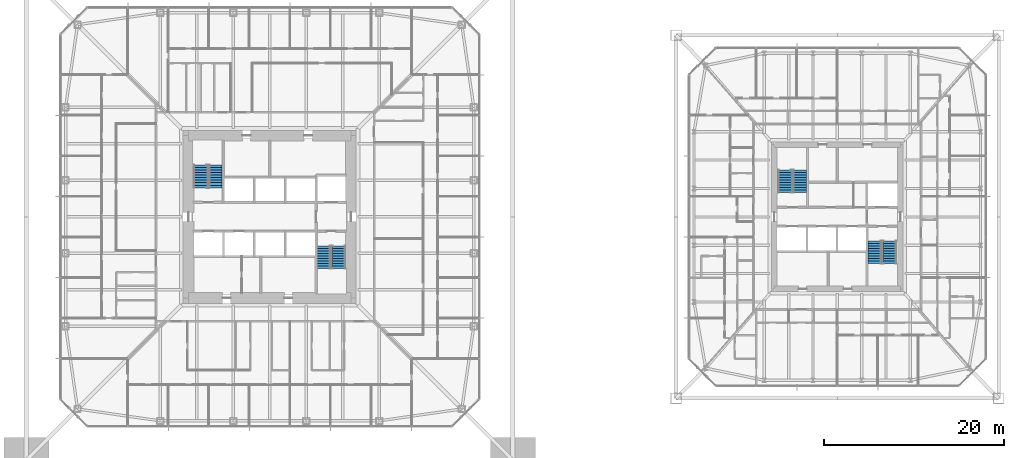
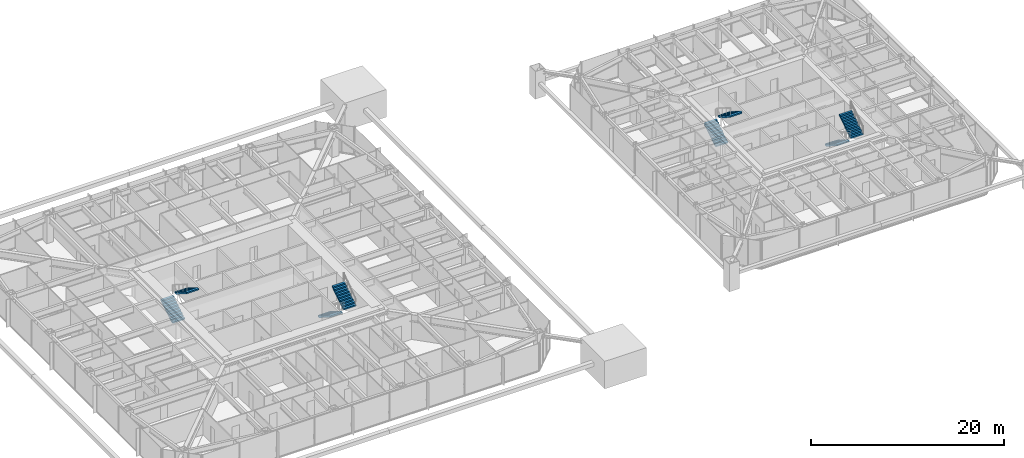
# One storey, part 23 of 27: 8 stair flights, 4 elements without a shape of their own.
"""IFC4 building model written with IfcOpenShell, lengths in metres."""

from ifc_helpers import new_model, si_unit, direction, frame, origin, place, context, subcontext, project, spatial, polyline, outline, extrude, material, constituent, constituent_set, type_object, element, aggregate, save


model = new_model("IFC4")

# Units and contexts
model_context = context("Model", 3, precision=1e-05, world=origin(), true_north=direction((0.0, 1.0)))
body_context = subcontext(model_context, "Body", "Model", "MODEL_VIEW")
ifc_project = project(units=[si_unit("LENGTHUNIT", "METRE"), si_unit("AREAUNIT", "SQUARE_METRE"), si_unit("VOLUMEUNIT", "CUBIC_METRE"), si_unit("PLANEANGLEUNIT", "RADIAN"), si_unit("MASSUNIT", "GRAM", prefix="KILO")], contexts=[model_context])

# Site, building, storey
site_placement = place(None, origin())
site = spatial("IfcSite", under=ifc_project, at=site_placement, CompositionType="ELEMENT")
building_placement = place(site_placement, origin())
building = spatial("IfcBuilding", under=site, at=building_placement, Name="Iwan Alto Co-Living Towers", CompositionType="ELEMENT")
storey_placement = place(building_placement, frame((0.0, 0.0, 53.5)))
storey = spatial("IfcBuildingStorey", under=building, at=storey_placement, Name="L14", CompositionType="ELEMENT", Elevation=53.5)

# Stair, stair flights
ifc_material_1 = material(Name="Steel ASTM A36", Category="steel")
ifc_constituent_1 = constituent(ifc_material_1, Name="Stringers", Category="LoadBearing")
ifc_material_2 = material(Name="Concrete f'c 30 MPa", Category="concrete")
ifc_constituent_2 = constituent(ifc_material_2, Name="Tread fill", Category="Finish")
ifc_constituent_set_1 = constituent_set(constituents=[ifc_constituent_1, ifc_constituent_2], Name="STAIR 3500 TWO-FLIGHT T1 CORE")
stair_type_1 = type_object("IfcStairType", Name="STAIR 3500 TWO-FLIGHT T1 CORE", PredefinedType="HALF_TURN_STAIR", material=ifc_constituent_set_1)
stair_1_placement = place(storey_placement, origin())
stair_1 = element("IfcStair", 1, at=stair_1_placement, inside=storey, type_object=stair_type_1, Name="Stair T1-S1 L14 to L15", PredefinedType="HALF_TURN_STAIR")
ifc_constituent_3 = constituent(ifc_material_1, Name="Stringers", Category="LoadBearing")
ifc_constituent_4 = constituent(ifc_material_2, Name="Tread fill", Category="Finish")
ifc_constituent_set_2 = constituent_set(constituents=[ifc_constituent_3, ifc_constituent_4], Name="STAIR FLIGHT 10 RISERS 280 GOING")
stair_flight_type = type_object("IfcStairFlightType", Name="STAIR FLIGHT 10 RISERS 280 GOING", PredefinedType="STRAIGHT", material=ifc_constituent_set_2)
stair_flight_1_placement = place(storey_placement, frame((-7.68994140625, 3.219970703125, 0.0), z_axis=(0.0, 0.0, 1.0), x_axis=(0.0, 1.0, 0.0)))
stair_flight_1 = element("IfcStairFlight", 2, at=stair_flight_1_placement, type_object=stair_flight_type, Name="T1-S1 flight 1", NumberOfRisers=10, NumberOfTreads=9, PredefinedType="STRAIGHT", RiserHeight=0.175, TreadLength=0.28, context=body_context, shape_type="SweptSolid", body=[
    extrude(outline(polyline([(0.0, 0.0), (0.0, 0.175048828125), (0.280029296875, 0.175048828125), (0.280029296875, 0.35009765625), (0.56005859375, 0.35009765625), (0.56005859375, 0.52490234375), (0.840087890625, 0.52490234375), (0.840087890625, 0.699951171875), (1.1201171875, 0.699951171875), (1.1201171875, 0.875), (1.39990234375, 0.875), (1.39990234375, 1.050048828125), (1.679931640625, 1.050048828125), (1.679931640625, 1.22509765625), (1.9599609375, 1.22509765625), (1.9599609375, 1.39990234375), (2.239990234375, 1.39990234375), (2.239990234375, 1.574951171875), (2.52001953125, 1.574951171875), (2.52001953125, 1.75), (2.52001953125, 1.398193359375), (0.28271484375, 0.0), (0.0, 0.0)])), frame((0.0, 0.739990234375, 0.0), z_axis=(0.0, -1.0, 0.0), x_axis=(1.0, 0.0, 0.0)), (0.0, 0.0, 1.0), 1.47998046875),
])
stair_flight_2_placement = place(storey_placement, frame((-6.010009765625, 5.739990234375, 1.75), z_axis=(0.0, 0.0, 1.0), x_axis=(0.0, -1.0, 0.0)))
stair_flight_2 = element("IfcStairFlight", 3, at=stair_flight_2_placement, type_object=stair_flight_type, Name="T1-S1 flight 2", NumberOfRisers=10, NumberOfTreads=9, PredefinedType="STRAIGHT", RiserHeight=0.175, TreadLength=0.28, context=body_context, shape_type="SweptSolid", body=[
    extrude(outline(polyline([(0.0, 0.0), (0.0, 0.175048828125), (0.280029296875, 0.175048828125), (0.280029296875, 0.35009765625), (0.56005859375, 0.35009765625), (0.56005859375, 0.52490234375), (0.840087890625, 0.52490234375), (0.840087890625, 0.699951171875), (1.1201171875, 0.699951171875), (1.1201171875, 0.875), (1.39990234375, 0.875), (1.39990234375, 1.050048828125), (1.679931640625, 1.050048828125), (1.679931640625, 1.22509765625), (1.9599609375, 1.22509765625), (1.9599609375, 1.39990234375), (2.239990234375, 1.39990234375), (2.239990234375, 1.574951171875), (2.52001953125, 1.574951171875), (2.52001953125, 1.75), (2.52001953125, 1.398193359375), (0.28271484375, 0.0), (0.0, 0.0)])), frame((0.0, 0.739990234375, 0.0), z_axis=(0.0, -1.0, 0.0), x_axis=(1.0, 0.0, 0.0)), (0.0, 0.0, 1.0), 1.47998046875),
])
aggregate(stair_1, [stair_flight_1, stair_flight_2])

stair_2_placement = place(storey_placement, origin())
stair_2 = element("IfcStair", 4, at=stair_2_placement, inside=storey, type_object=stair_type_1, Name="Stair T1-S2 L14 to L15", PredefinedType="HALF_TURN_STAIR")
stair_flight_3_placement = place(storey_placement, frame((6.010009765625, -3.219970703125, 0.0), z_axis=(0.0, 0.0, 1.0), x_axis=(0.0, -1.0, 0.0)))
stair_flight_3 = element("IfcStairFlight", 5, at=stair_flight_3_placement, type_object=stair_flight_type, Name="T1-S2 flight 1", NumberOfRisers=10, NumberOfTreads=9, PredefinedType="STRAIGHT", RiserHeight=0.175, TreadLength=0.28, context=body_context, shape_type="SweptSolid", body=[
    extrude(outline(polyline([(0.0, 0.0), (0.0, 0.175048828125), (0.280029296875, 0.175048828125), (0.280029296875, 0.35009765625), (0.56005859375, 0.35009765625), (0.56005859375, 0.52490234375), (0.840087890625, 0.52490234375), (0.840087890625, 0.699951171875), (1.1201171875, 0.699951171875), (1.1201171875, 0.875), (1.39990234375, 0.875), (1.39990234375, 1.050048828125), (1.679931640625, 1.050048828125), (1.679931640625, 1.22509765625), (1.9599609375, 1.22509765625), (1.9599609375, 1.39990234375), (2.239990234375, 1.39990234375), (2.239990234375, 1.574951171875), (2.52001953125, 1.574951171875), (2.52001953125, 1.75), (2.52001953125, 1.398193359375), (0.28271484375, 0.0), (0.0, 0.0)])), frame((0.0, 0.739990234375, 0.0), z_axis=(0.0, -1.0, 0.0), x_axis=(1.0, 0.0, 0.0)), (0.0, 0.0, 1.0), 1.47998046875),
])
stair_flight_4_placement = place(storey_placement, frame((7.68994140625, -5.739990234375, 1.75), z_axis=(0.0, 0.0, 1.0), x_axis=(0.0, 1.0, 0.0)))
stair_flight_4 = element("IfcStairFlight", 6, at=stair_flight_4_placement, type_object=stair_flight_type, Name="T1-S2 flight 2", NumberOfRisers=10, NumberOfTreads=9, PredefinedType="STRAIGHT", RiserHeight=0.175, TreadLength=0.28, context=body_context, shape_type="SweptSolid", body=[
    extrude(outline(polyline([(0.0, 0.0), (0.0, 0.175048828125), (0.280029296875, 0.175048828125), (0.280029296875, 0.35009765625), (0.56005859375, 0.35009765625), (0.56005859375, 0.52490234375), (0.840087890625, 0.52490234375), (0.840087890625, 0.699951171875), (1.1201171875, 0.699951171875), (1.1201171875, 0.875), (1.39990234375, 0.875), (1.39990234375, 1.050048828125), (1.679931640625, 1.050048828125), (1.679931640625, 1.22509765625), (1.9599609375, 1.22509765625), (1.9599609375, 1.39990234375), (2.239990234375, 1.39990234375), (2.239990234375, 1.574951171875), (2.52001953125, 1.574951171875), (2.52001953125, 1.75), (2.52001953125, 1.398193359375), (0.28271484375, 0.0), (0.0, 0.0)])), frame((0.0, 0.739990234375, 0.0), z_axis=(0.0, -1.0, 0.0), x_axis=(1.0, 0.0, 0.0)), (0.0, 0.0, 1.0), 1.47998046875),
])
aggregate(stair_2, [stair_flight_3, stair_flight_4])

ifc_constituent_5 = constituent(ifc_material_1, Name="Stringers", Category="LoadBearing")
ifc_constituent_6 = constituent(ifc_material_2, Name="Tread fill", Category="Finish")
ifc_constituent_set_3 = constituent_set(constituents=[ifc_constituent_5, ifc_constituent_6], Name="STAIR 3500 TWO-FLIGHT T2 CORE")
stair_type_2 = type_object("IfcStairType", Name="STAIR 3500 TWO-FLIGHT T2 CORE", PredefinedType="HALF_TURN_STAIR", material=ifc_constituent_set_3)
stair_3_placement = place(storey_placement, origin())
stair_3 = element("IfcStair", 7, at=stair_3_placement, inside=storey, type_object=stair_type_2, Name="Stair T2-S1 L14 to L15", PredefinedType="HALF_TURN_STAIR")
stair_flight_5_placement = place(storey_placement, frame((57.159912109375, 2.669921875, 0.0), z_axis=(0.0, 0.0, 1.0), x_axis=(0.0, 1.0, 0.0)))
stair_flight_5 = element("IfcStairFlight", 8, at=stair_flight_5_placement, type_object=stair_flight_type, Name="T2-S1 flight 1", NumberOfRisers=10, NumberOfTreads=9, PredefinedType="STRAIGHT", RiserHeight=0.175, TreadLength=0.28, context=body_context, shape_type="SweptSolid", body=[
    extrude(outline(polyline([(0.0, 0.0), (0.0, 0.175048828125), (0.280029296875, 0.175048828125), (0.280029296875, 0.35009765625), (0.56005859375, 0.35009765625), (0.56005859375, 0.52490234375), (0.840087890625, 0.52490234375), (0.840087890625, 0.699951171875), (1.1201171875, 0.699951171875), (1.1201171875, 0.875), (1.39990234375, 0.875), (1.39990234375, 1.050048828125), (1.679931640625, 1.050048828125), (1.679931640625, 1.22509765625), (1.9599609375, 1.22509765625), (1.9599609375, 1.39990234375), (2.239990234375, 1.39990234375), (2.239990234375, 1.574951171875), (2.52001953125, 1.574951171875), (2.52001953125, 1.75), (2.52001953125, 1.398193359375), (0.28271484375, 0.0), (0.0, 0.0)])), frame((0.0, 0.739990234375, 0.0), z_axis=(0.0, -1.0, 0.0), x_axis=(1.0, 0.0, 0.0)), (0.0, 0.0, 1.0), 1.47998046875),
])
stair_flight_6_placement = place(storey_placement, frame((58.840087890625, 5.18994140625, 1.75), z_axis=(0.0, 0.0, 1.0), x_axis=(0.0, -1.0, 0.0)))
stair_flight_6 = element("IfcStairFlight", 9, at=stair_flight_6_placement, type_object=stair_flight_type, Name="T2-S1 flight 2", NumberOfRisers=10, NumberOfTreads=9, PredefinedType="STRAIGHT", RiserHeight=0.175, TreadLength=0.28, context=body_context, shape_type="SweptSolid", body=[
    extrude(outline(polyline([(0.0, 0.0), (0.0, 0.175048828125), (0.280029296875, 0.175048828125), (0.280029296875, 0.35009765625), (0.56005859375, 0.35009765625), (0.56005859375, 0.52490234375), (0.840087890625, 0.52490234375), (0.840087890625, 0.699951171875), (1.1201171875, 0.699951171875), (1.1201171875, 0.875), (1.39990234375, 0.875), (1.39990234375, 1.050048828125), (1.679931640625, 1.050048828125), (1.679931640625, 1.22509765625), (1.9599609375, 1.22509765625), (1.9599609375, 1.39990234375), (2.239990234375, 1.39990234375), (2.239990234375, 1.574951171875), (2.52001953125, 1.574951171875), (2.52001953125, 1.75), (2.52001953125, 1.398193359375), (0.28271484375, 0.0), (0.0, 0.0)])), frame((0.0, 0.739990234375, 0.0), z_axis=(0.0, -1.0, 0.0), x_axis=(1.0, 0.0, 0.0)), (0.0, 0.0, 1.0), 1.47998046875),
])
aggregate(stair_3, [stair_flight_5, stair_flight_6])

stair_4_placement = place(storey_placement, origin())
stair_4 = element("IfcStair", 10, at=stair_4_placement, inside=storey, type_object=stair_type_2, Name="Stair T2-S2 L14 to L15", PredefinedType="HALF_TURN_STAIR")
stair_flight_7_placement = place(storey_placement, frame((67.159912109375, -2.669921875, 0.0), z_axis=(0.0, 0.0, 1.0), x_axis=(0.0, -1.0, 0.0)))
stair_flight_7 = element("IfcStairFlight", 11, at=stair_flight_7_placement, type_object=stair_flight_type, Name="T2-S2 flight 1", NumberOfRisers=10, NumberOfTreads=9, PredefinedType="STRAIGHT", RiserHeight=0.175, TreadLength=0.28, context=body_context, shape_type="SweptSolid", body=[
    extrude(outline(polyline([(0.0, 0.0), (0.0, 0.175048828125), (0.280029296875, 0.175048828125), (0.280029296875, 0.35009765625), (0.56005859375, 0.35009765625), (0.56005859375, 0.52490234375), (0.840087890625, 0.52490234375), (0.840087890625, 0.699951171875), (1.1201171875, 0.699951171875), (1.1201171875, 0.875), (1.39990234375, 0.875), (1.39990234375, 1.050048828125), (1.679931640625, 1.050048828125), (1.679931640625, 1.22509765625), (1.9599609375, 1.22509765625), (1.9599609375, 1.39990234375), (2.239990234375, 1.39990234375), (2.239990234375, 1.574951171875), (2.52001953125, 1.574951171875), (2.52001953125, 1.75), (2.52001953125, 1.398193359375), (0.28271484375, 0.0), (0.0, 0.0)])), frame((0.0, 0.739990234375, 0.0), z_axis=(0.0, -1.0, 0.0), x_axis=(1.0, 0.0, 0.0)), (0.0, 0.0, 1.0), 1.47998046875),
])
stair_flight_8_placement = place(storey_placement, frame((68.840087890625, -5.18994140625, 1.75), z_axis=(0.0, 0.0, 1.0), x_axis=(0.0, 1.0, 0.0)))
stair_flight_8 = element("IfcStairFlight", 12, at=stair_flight_8_placement, type_object=stair_flight_type, Name="T2-S2 flight 2", NumberOfRisers=10, NumberOfTreads=9, PredefinedType="STRAIGHT", RiserHeight=0.175, TreadLength=0.28, context=body_context, shape_type="SweptSolid", body=[
    extrude(outline(polyline([(0.0, 0.0), (0.0, 0.175048828125), (0.280029296875, 0.175048828125), (0.280029296875, 0.35009765625), (0.56005859375, 0.35009765625), (0.56005859375, 0.52490234375), (0.840087890625, 0.52490234375), (0.840087890625, 0.699951171875), (1.1201171875, 0.699951171875), (1.1201171875, 0.875), (1.39990234375, 0.875), (1.39990234375, 1.050048828125), (1.679931640625, 1.050048828125), (1.679931640625, 1.22509765625), (1.9599609375, 1.22509765625), (1.9599609375, 1.39990234375), (2.239990234375, 1.39990234375), (2.239990234375, 1.574951171875), (2.52001953125, 1.574951171875), (2.52001953125, 1.75), (2.52001953125, 1.398193359375), (0.28271484375, 0.0), (0.0, 0.0)])), frame((0.0, 0.739990234375, 0.0), z_axis=(0.0, -1.0, 0.0), x_axis=(1.0, 0.0, 0.0)), (0.0, 0.0, 1.0), 1.47998046875),
])
aggregate(stair_4, [stair_flight_7, stair_flight_8])

save(model, "model.ifc")
